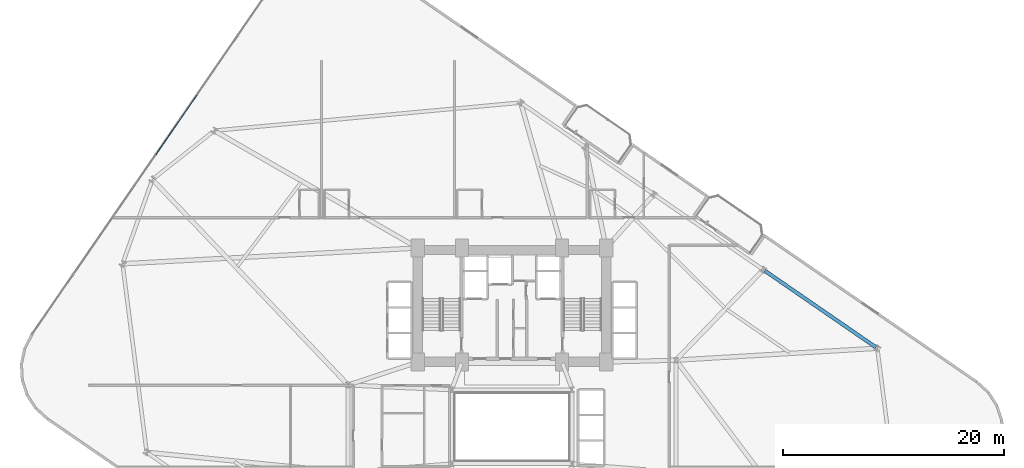
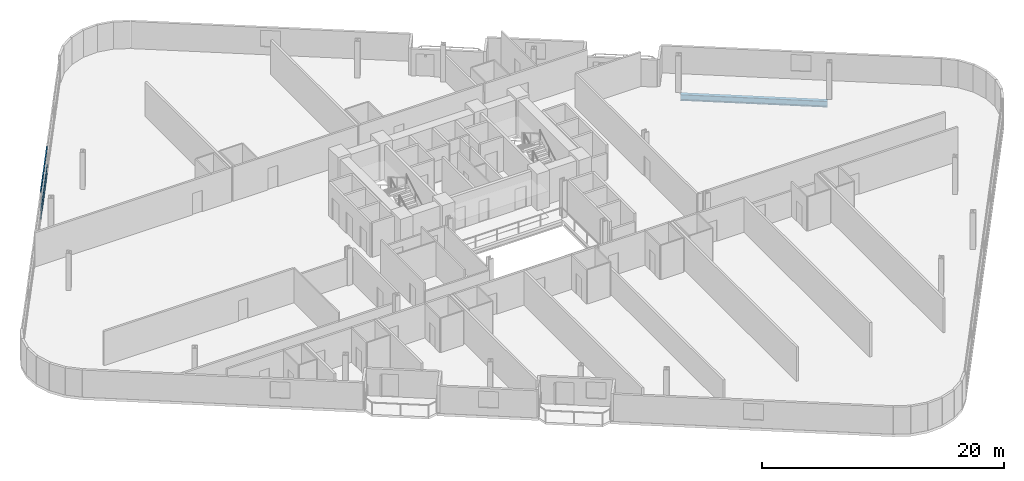
# One storey, part 12 of 25: 3 members, 1 beam, 1 element without a shape of its own.
"""IFC4 building model written with IfcOpenShell, lengths in metres."""

from ifc_helpers import new_model, si_unit, direction, frame, origin, origin_2d, place, context, subcontext, project, spatial, hollow_rectangle, i_section, extrude, material, layer, layer_set, material_profile, profile_set, type_object, element, aggregate, save


model = new_model("IFC4")

# Units and contexts
model_context = context("Model", 3, precision=1e-05, world=origin(), true_north=direction((0.0, 1.0)))
body_context = subcontext(model_context, "Body", "Model", "MODEL_VIEW")
ifc_project = project(units=[si_unit("LENGTHUNIT", "METRE"), si_unit("AREAUNIT", "SQUARE_METRE"), si_unit("VOLUMEUNIT", "CUBIC_METRE"), si_unit("PLANEANGLEUNIT", "RADIAN"), si_unit("MASSUNIT", "GRAM", prefix="KILO")], contexts=[model_context])

# Site, building, storey
site_placement = place(None, origin())
site = spatial("IfcSite", under=ifc_project, at=site_placement, CompositionType="ELEMENT")
building_placement = place(site_placement, origin())
building = spatial("IfcBuilding", under=site, at=building_placement, Name="Varnelok Gate Tower", CompositionType="ELEMENT")
storey_placement = place(building_placement, frame((0.0, 0.0, 52.89990234375)))
storey = spatial("IfcBuildingStorey", under=building, at=storey_placement, Name="L12", CompositionType="ELEMENT", Elevation=52.89990234375)

# Beam
ifc_material_1 = material(Name="Structural Steel ASTM A992 Grade 50", Category="steel")
ifc_material_profile_1 = material_profile(ifc_material_1, i_section(OverallWidth=0.323974609375, OverallDepth=0.611083984375, WebThickness=0.0126953125, FlangeThickness=0.01904296875, FilletRadius=0.01806640625, at=origin_2d()), Name="W24X104")
ifc_profile_set_1 = profile_set([ifc_material_profile_1], Name="Structural Steel ASTM A992 Grade 50")
beam_type = type_object("IfcBeamType", Name="BM-SPN-W24X104", PredefinedType="SPANDREL", material=ifc_profile_set_1)
beam_placement = place(storey_placement, frame((72.06201171875, 30.08251953125, -0.555419921875), z_axis=(-0.823543541425, 0.567253061144, 0.0), x_axis=(-0.567253061144, -0.823543541425, 0.0)))
element("IfcBeam", 1, at=beam_placement, inside=storey, type_object=beam_type, Name="L12 Perimeter Spandrel Beam 9", PredefinedType="SPANDREL", context=body_context, shape_type="SweptSolid", body=[
    extrude(i_section(OverallWidth=0.323974609375, OverallDepth=0.611083984375, WebThickness=0.0126953125, FlangeThickness=0.01904296875, FilletRadius=0.01806640625, at=origin_2d()), origin(), (0.0, 0.0, 1.0), 12.199951171875),
])

# Curtain wall, members
ifc_material_2 = material(Name="Anodized Aluminum Alloy 6063-T6", Category="aluminium")
ifc_layer = layer(ifc_material_2, 0.179931640625)
ifc_layer_set = layer_set([ifc_layer], Name="Anodized Aluminum Alloy 6063-T6")
curtain_wall_type = type_object("IfcCurtainWallType", Name="CW3-HOTEL-VISION", PredefinedType="USERDEFINED", material=ifc_layer_set)
curtain_wall_placement = place(storey_placement, origin())
curtain_wall = element("IfcCurtainWall", 2, at=curtain_wall_placement, inside=storey, type_object=curtain_wall_type, Name="L12 West End Vision Curtain Wall", ObjectType="UNITISED CURTAIN WALL", PredefinedType="USERDEFINED")
ifc_material_profile_2 = material_profile(ifc_material_2, hollow_rectangle(XDim=0.06494140625, YDim=0.159912109375, WallThickness=0.00390625, at=origin_2d()), Name="ALU160X65X4")
ifc_profile_set_2 = profile_set([ifc_material_profile_2], Name="Anodized Aluminum Alloy 6063-T6")
member_type = type_object("IfcMemberType", Name="CW-TRAN-160", PredefinedType="USERDEFINED", material=ifc_profile_set_2)
member_1_placement = place(storey_placement, frame((7.05126953125, 47.484375, 0.03271484375), z_axis=(0.567279204469, 0.823525533409, 0.0), x_axis=(-0.823525533409, 0.567279204469, 0.0)))
member_1 = element("IfcMember", 3, at=member_1_placement, type_object=member_type, Name="CW3 transom 4.1", ObjectType="TRANSOM", PredefinedType="USERDEFINED", context=body_context, shape_type="SweptSolid", body=[
    extrude(hollow_rectangle(XDim=0.06494140625, YDim=0.159912109375, WallThickness=0.00390625, at=origin_2d()), origin(), (0.0, 0.0, 1.0), 6.501708984375),
])
member_2_placement = place(storey_placement, frame((7.05126953125, 47.484375, 0.900146484375), z_axis=(0.567279204469, 0.823525533409, 0.0), x_axis=(-0.823525533409, 0.567279204469, 0.0)))
member_2 = element("IfcMember", 4, at=member_2_placement, type_object=member_type, Name="CW3 transom 4.2", ObjectType="TRANSOM", PredefinedType="USERDEFINED", context=body_context, shape_type="SweptSolid", body=[
    extrude(hollow_rectangle(XDim=0.06494140625, YDim=0.159912109375, WallThickness=0.00390625, at=origin_2d()), origin(), (0.0, 0.0, 1.0), 6.501708984375),
])
member_3_placement = place(storey_placement, frame((7.05126953125, 47.484375, 2.697509765625), z_axis=(0.567279204469, 0.823525533409, 0.0), x_axis=(-0.823525533409, 0.567279204469, 0.0)))
member_3 = element("IfcMember", 5, at=member_3_placement, type_object=member_type, Name="CW3 transom 4.3", ObjectType="TRANSOM", PredefinedType="USERDEFINED", context=body_context, shape_type="SweptSolid", body=[
    extrude(hollow_rectangle(XDim=0.06494140625, YDim=0.159912109375, WallThickness=0.00390625, at=origin_2d()), origin(), (0.0, 0.0, 1.0), 6.501708984375),
])
aggregate(curtain_wall, [member_1, member_2, member_3])

save(model, "model.ifc")
